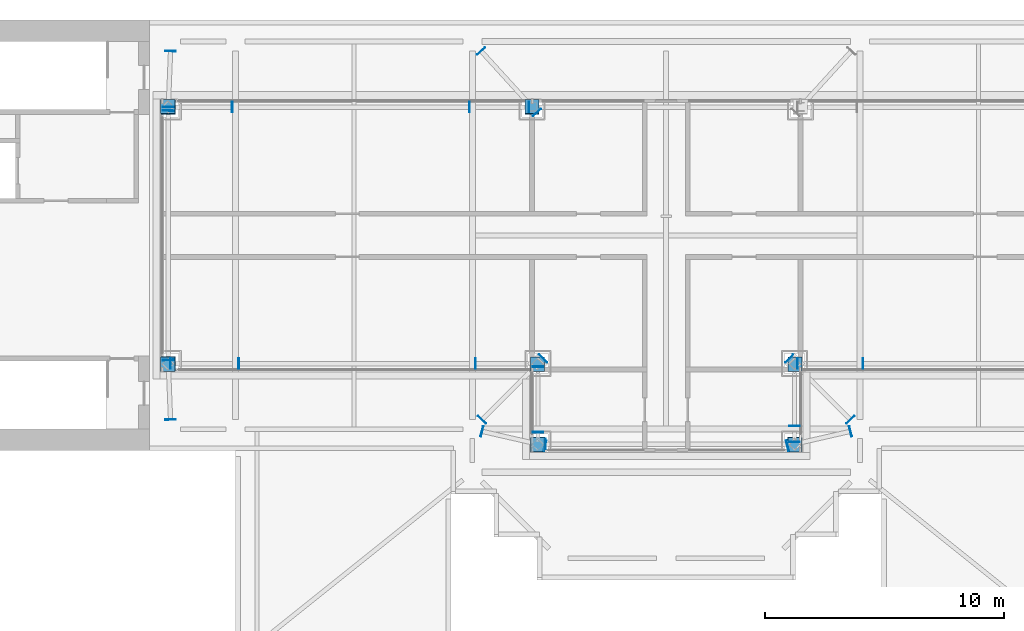
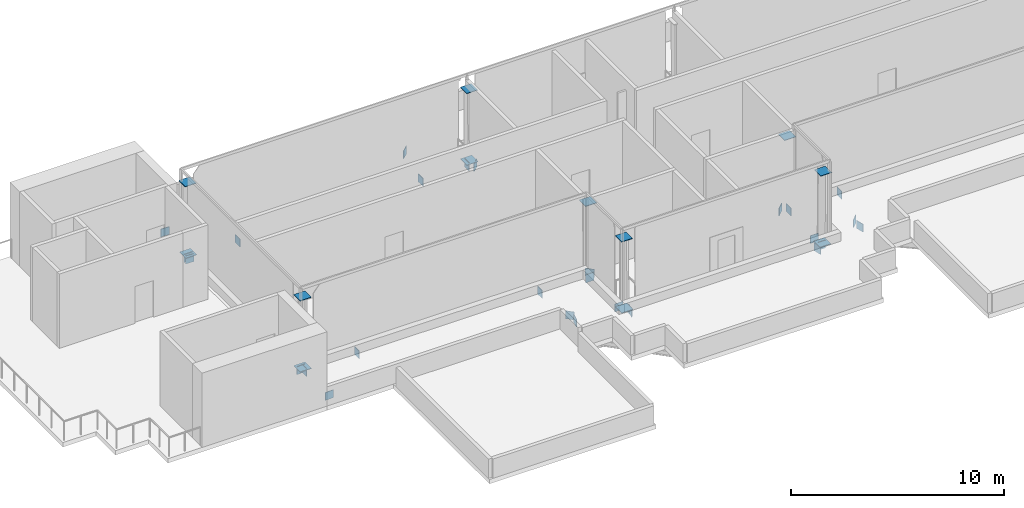
# One storey, part 6 of 8: 40 discrete accessories.
"""IFC4 building model written with IfcOpenShell, lengths in metres."""

from ifc_helpers import new_model, si_unit, direction, frame, origin, origin_2d, place, context, subcontext, project, spatial, rectangle, extrude, material, material_profile, profile_set, type_object, element, save


model = new_model("IFC4")

# Units and contexts
model_context = context("Model", 3, precision=1e-05, world=origin(), true_north=direction((0.0, 1.0)))
body_context = subcontext(model_context, "Body", "Model", "MODEL_VIEW")
ifc_project = project(units=[si_unit("LENGTHUNIT", "METRE"), si_unit("AREAUNIT", "SQUARE_METRE"), si_unit("VOLUMEUNIT", "CUBIC_METRE"), si_unit("PLANEANGLEUNIT", "RADIAN"), si_unit("MASSUNIT", "GRAM", prefix="KILO")], contexts=[model_context])

# Site, building, storey
site_placement = place(None, origin())
site = spatial("IfcSite", under=ifc_project, at=site_placement, CompositionType="ELEMENT")
building_placement = place(site_placement, origin())
building = spatial("IfcBuilding", under=site, at=building_placement, Name="Perihelion Cross Residences", CompositionType="ELEMENT")
storey_placement = place(building_placement, frame((0.0, 0.0, 298.800048828125)))
storey = spatial("IfcBuildingStorey", under=building, at=storey_placement, Name="L76", CompositionType="ELEMENT", Elevation=298.800048828125)

# Discrete accessories
ifc_material_1 = material(Name="Structural steel S355 plate", Category="steel")
ifc_material_profile_1 = material_profile(ifc_material_1, rectangle(XDim=0.449951171875, YDim=0.449951171875, at=origin_2d()), Name="Crown end plate")
ifc_profile_set_1 = profile_set([ifc_material_profile_1], Name="Structural steel S355 plate")
discrete_accessory_type_1 = type_object("IfcDiscreteAccessoryType", Name="Crown end plate", PredefinedType="BRACKET", material=ifc_profile_set_1)
for number, where, z_axis, x_axis, name in (
    (1, (-5.71435546875, 5.360107421875, -0.45849609375), (-1.0, 0.0, 0.0), (0.0, -1.0, 0.0), "Crown end plate"),
    (2, (-8.2119140625, 5.360107421875, -0.45849609375), (-1.0, 0.0, 0.0), (0.0, -1.0, 0.0), "Crown end plate"),
    (3, (-18.118408203125, 5.360107421875, -0.45849609375), (-1.0, 0.0, 0.0), (0.0, -1.0, 0.0), "Crown end plate"),
    (4, (-20.810546875, 5.375244140625, -0.45849609375), (0.0, -1.0, 0.0), (1.0, 0.0, 0.0), "Crown end plate"),
):
    element("IfcDiscreteAccessory", number, at=place(storey_placement, frame(where, z_axis=z_axis, x_axis=x_axis)), inside=storey, type_object=discrete_accessory_type_1, Name=name, PredefinedType="BRACKET", context=body_context, shape_type="SweptSolid", body=[
        extrude(rectangle(XDim=0.449951171875, YDim=0.449951171875, at=origin_2d()), origin(), (0.0, 0.0, 1.0), 0.030029296875),
    ])
discrete_accessory_placement = place(storey_placement, frame((-20.73486328125, -5.360107421875, -0.45849609375), z_axis=(1.0, 0.0, 0.0), x_axis=(0.0, 1.0, 0.0)))
element("IfcDiscreteAccessory", 5, at=discrete_accessory_placement, inside=storey, type_object=discrete_accessory_type_1, Name="Crown end plate", PredefinedType="BRACKET", context=body_context, shape_type="SweptSolid", body=[
    extrude(rectangle(XDim=0.449951171875, YDim=0.449951171875, at=origin_2d()), origin(), (0.0, 0.0, 1.0), 0.02978515625),
])
for number, where, z_axis, x_axis, name in (
    (6, (-17.881591796875, -5.360107421875, -0.45849609375), (1.0, 0.0, 0.0), (0.0, 1.0, 0.0), "Crown end plate"),
    (7, (-7.988037109375, -5.360107421875, -0.45849609375), (1.0, 0.0, 0.0), (0.0, 1.0, 0.0), "Crown end plate"),
    (8, (-5.360107421875, -5.47314453125, -0.45849609375), (0.0, -1.0, 0.0), (1.0, 0.0, 0.0), "Crown end plate"),
    (9, (-5.360107421875, -8.2119140625, -0.45849609375), (0.0, -1.0, 0.0), (1.0, 0.0, 0.0), "Crown end plate"),
    (10, (-5.073486328125, -8.724365234375, -0.45849609375), (1.0, 0.0, 0.0), (0.0, 1.0, 0.0), "Crown end plate"),
    (11, (5.360107421875, -8.646484375, -0.45849609375), (0.0, 1.0, 0.0), (-1.0, 0.0, 0.0), "Crown end plate"),
    (12, (5.360107421875, -7.988037109375, -0.45849609375), (0.0, 1.0, 0.0), (-1.0, 0.0, 0.0), "Crown end plate"),
    (13, (5.47314453125, -5.360107421875, -0.45849609375), (1.0, 0.0, 0.0), (0.0, 1.0, 0.0), "Crown end plate"),
    (14, (8.2119140625, -5.360107421875, -0.45849609375), (1.0, 0.0, 0.0), (0.0, 1.0, 0.0), "Crown end plate"),
    (15, (-5.39501953125, 5.127197265625, -0.45849609375), (-0.673884243496, 0.738836941664, 0.0), (-0.738836941664, -0.673884243496, 0.0), "Crown end plate"),
    (16, (-7.725830078125, 7.68896484375, -0.45849609375), (-0.673884243496, 0.738836941664, 0.0), (-0.738836941664, -0.673884243496, 0.0), "Crown end plate"),
    (17, (-20.817138671875, 5.1953125, -0.45849609375), (0.040616861577, 0.999174794796, 0.0), (-0.999174794796, 0.040616861577, 0.0), "Crown end plate"),
    (18, (-20.716796875, 7.68505859375, -0.45849609375), (0.040616861577, 0.999174794796, 0.0), (-0.999174794796, 0.040616861577, 0.0), "Crown end plate"),
    (19, (-20.817138671875, -5.1953125, -0.45849609375), (0.040616861577, -0.999174794796, 0.0), (0.999174794796, 0.040616861577, 0.0), "Crown end plate"),
    (20, (-20.716796875, -7.68505859375, -0.45849609375), (0.040616861577, -0.999174794796, 0.0), (0.999174794796, 0.040616861577, 0.0), "Crown end plate"),
    (21, (-5.137451171875, -5.137451171875, -0.45849609375), (-0.707106781187, -0.707106781187, 0.0), (0.707106781187, -0.707106781187, 0.0), "Crown end plate"),
    (22, (-7.689453125, -7.689453125, -0.45849609375), (-0.707106781187, -0.707106781187, 0.0), (0.707106781187, -0.707106781187, 0.0), "Crown end plate"),
    (23, (-5.052978515625, -8.79443359375, -0.45849609375), (-0.973841209742, 0.227229615606, 0.0), (-0.227229615606, -0.973841209742, 0.0), "Crown end plate"),
    (24, (-7.685302734375, -8.194580078125, -0.45849609375), (-0.973841209742, 0.227229615606, 0.0), (-0.227229615606, -0.973841209742, 0.0), "Crown end plate"),
    (25, (5.052978515625, -8.79443359375, -0.45849609375), (0.973841209742, 0.227229615606, 0.0), (-0.227229615606, 0.973841209742, 0.0), "Crown end plate"),
    (26, (7.685302734375, -8.194580078125, -0.45849609375), (0.973841209742, 0.227229615606, 0.0), (-0.227229615606, 0.973841209742, 0.0), "Crown end plate"),
    (27, (5.137451171875, -5.137451171875, -0.45849609375), (0.707106781187, -0.707106781187, 0.0), (0.707106781187, 0.707106781187, 0.0), "Crown end plate"),
    (28, (7.689453125, -7.689453125, -0.45849609375), (0.707106781187, -0.707106781187, 0.0), (0.707106781187, 0.707106781187, 0.0), "Crown end plate"),
):
    element("IfcDiscreteAccessory", number, at=place(storey_placement, frame(where, z_axis=z_axis, x_axis=x_axis)), inside=storey, type_object=discrete_accessory_type_1, Name=name, PredefinedType="BRACKET", context=body_context, shape_type="SweptSolid", body=[
        extrude(rectangle(XDim=0.449951171875, YDim=0.449951171875, at=origin_2d()), origin(), (0.0, 0.0, 1.0), 0.030029296875),
    ])
ifc_material_2 = material(Name="Structural steel S355 plate", Category="steel")
ifc_material_profile_2 = material_profile(ifc_material_2, rectangle(XDim=0.60009765625, YDim=0.60009765625, at=origin_2d()), Name="Crown gusset plate")
ifc_profile_set_2 = profile_set([ifc_material_profile_2], Name="Structural steel S355 plate")
discrete_accessory_type_2 = type_object("IfcDiscreteAccessoryType", Name="Crown gusset plate", PredefinedType="BRACKET", material=ifc_profile_set_2)
for number, where, z_axis, x_axis, name in (
    (29, (-5.60693359375, 5.360107421875, -0.26513671875), (0.0, 0.008129812622, 0.999966952527), (-1.0, 0.0, 0.0), "Crown gusset plate"),
    (30, (-5.60693359375, 5.3828125, 3.81787109375), (0.0, 0.0, 1.0), (1.0, 0.0, 0.0), "Crown gusset plate"),
    (31, (-20.810546875, 5.360107421875, -0.26513671875), (0.0, 0.008129812622, 0.999966952527), (-1.0, 0.0, 0.0), "Crown gusset plate"),
    (32, (-20.833251953125, 5.3828125, 3.81787109375), (0.0, 0.0, 1.0), (1.0, 0.0, 0.0), "Crown gusset plate"),
    (33, (-20.810546875, -5.360107421875, -0.26513671875), (0.0, -0.008129812622, 0.999966952527), (1.0, 0.0, 0.0), "Crown gusset plate"),
    (34, (-20.833251953125, -5.3828125, 3.81787109375), (0.0, 0.0, 1.0), (1.0, 0.0, 0.0), "Crown gusset plate"),
    (35, (-5.3828125, -5.3828125, 3.81787109375), (0.0, 0.0, 1.0), (1.0, 0.0, 0.0), "Crown gusset plate"),
    (36, (-5.360107421875, -8.724365234375, -0.26513671875), (-0.008129812622, 0.0, 0.999966952527), (0.0, -1.0, 0.0), "Crown gusset plate"),
    (37, (-5.3828125, -8.7470703125, 3.81787109375), (0.0, 0.0, 1.0), (1.0, 0.0, 0.0), "Crown gusset plate"),
    (38, (5.360107421875, -8.724365234375, -0.26513671875), (0.008129812622, 0.0, 0.999966952527), (0.0, 1.0, 0.0), "Crown gusset plate"),
    (39, (5.3828125, -8.7470703125, 3.81787109375), (0.0, 0.0, 1.0), (1.0, 0.0, 0.0), "Crown gusset plate"),
    (40, (5.3828125, -5.3828125, 3.81787109375), (0.0, 0.0, 1.0), (1.0, 0.0, 0.0), "Crown gusset plate"),
):
    element("IfcDiscreteAccessory", number, at=place(storey_placement, frame(where, z_axis=z_axis, x_axis=x_axis)), inside=storey, type_object=discrete_accessory_type_2, Name=name, PredefinedType="BRACKET", context=body_context, shape_type="SweptSolid", body=[
        extrude(rectangle(XDim=0.60009765625, YDim=0.60009765625, at=origin_2d()), origin(), (0.0, 0.0, 1.0), 0.030029296875),
    ])

save(model, "model.ifc")
